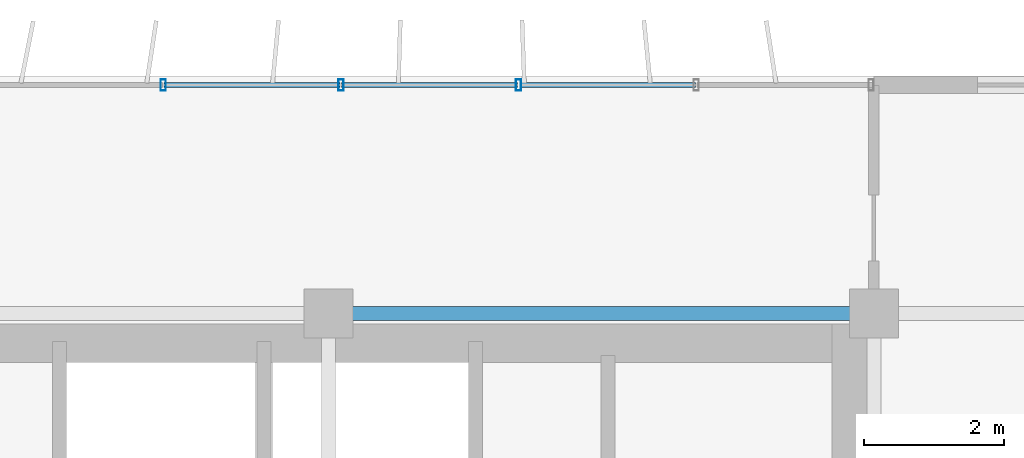
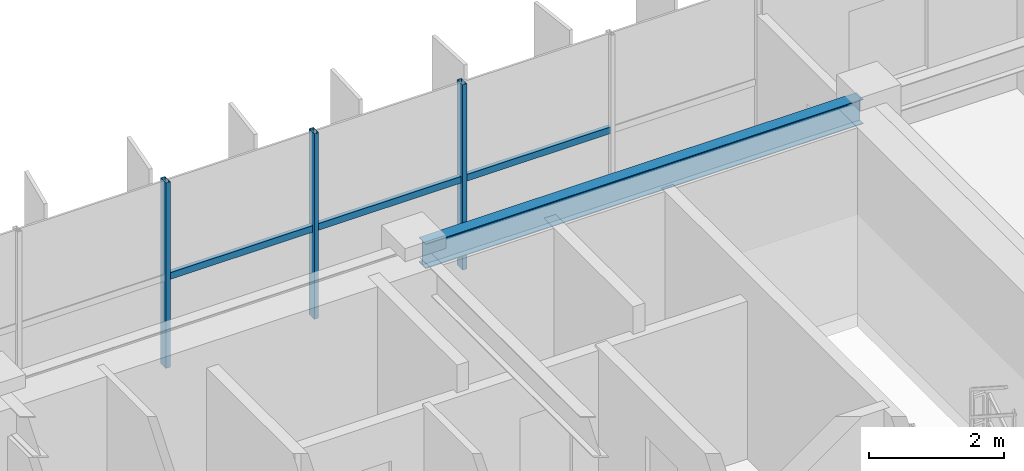
# One storey, part 22 of 34: 6 members, 1 beam, 1 element without a shape of its own.
"""IFC4 building model written with IfcOpenShell, lengths in metres."""

from ifc_helpers import new_model, si_unit, direction, frame, origin, origin_2d, place, context, subcontext, project, spatial, hollow_rectangle, i_section, extrude, source, transform, mapped, material, material_profile, profile_set, type_object, element, aggregate, save


model = new_model("IFC4")

# Units and contexts
model_context = context("Model", 3, precision=1e-05, world=origin(), true_north=direction((0.0, 1.0)))
body_context = subcontext(model_context, "Body", "Model", "MODEL_VIEW")
ifc_project = project(units=[si_unit("LENGTHUNIT", "METRE"), si_unit("AREAUNIT", "SQUARE_METRE"), si_unit("VOLUMEUNIT", "CUBIC_METRE"), si_unit("PLANEANGLEUNIT", "RADIAN"), si_unit("MASSUNIT", "GRAM", prefix="KILO")], contexts=[model_context])

# Site, building, storey
site_placement = place(None, origin())
site = spatial("IfcSite", under=ifc_project, at=site_placement, CompositionType="ELEMENT")
building_placement = place(site_placement, origin())
building = spatial("IfcBuilding", under=site, at=building_placement, Name="Trelvane Seafront Commons", CompositionType="ELEMENT")
storey_placement = place(building_placement, frame((0.0, 0.0, 197.699951171875)))
storey = spatial("IfcBuildingStorey", under=building, at=storey_placement, Name="L51", CompositionType="ELEMENT", Elevation=197.699951171875)

# Beam
ifc_material_1 = material(Name="Steel SM355 (S355)", Category="steel")
ifc_material_profile_1 = material_profile(ifc_material_1, i_section(OverallWidth=0.199951171875, OverallDepth=0.449951171875, WebThickness=0.009033203125, FlangeThickness=0.013916015625, at=origin_2d()), Name="H-450x200x9x14")
ifc_profile_set_1 = profile_set([ifc_material_profile_1], Name="Steel SM355 (S355)")
beam_type = type_object("IfcBeamType", Name="STR-SPD-H450", PredefinedType="SPANDREL", material=ifc_profile_set_1)
shared_shape_1 = source(origin(), body_context, "Body", "SweptSolid", [
    extrude(i_section(OverallWidth=0.199951171875, OverallDepth=0.449951171875, WebThickness=0.009033203125, FlangeThickness=0.013916015625, at=origin_2d()), origin(), (0.0, 0.0, 1.0), 7.5),
])
beam_placement = place(storey_placement, frame((51.14990234375, 45.10009765625, 3.135009765625), z_axis=(1.0, 0.0, 0.0), x_axis=(0.0, 1.0, 0.0)))
element("IfcBeam", 1, at=beam_placement, inside=storey, type_object=beam_type, Name="L51 Primary Girder G-27", PredefinedType="SPANDREL", context=body_context, shape_type="MappedRepresentation", body=[
    mapped(shared_shape_1, transform((0.0, 0.0, 0.0), x_axis=(1.0, 0.0, 0.0), y_axis=(0.0, 1.0, 0.0), z_axis=(0.0, 0.0, 1.0), scale=1.0)),
])

# Curtain wall, members
ifc_material_2 = material(Name="Anodised pale-silver aluminium", Category="aluminium")
curtain_wall_type = type_object("IfcCurtainWallType", Name="ARCH-CW5-UPTOWER", PredefinedType="NOTDEFINED", material=ifc_material_2)
curtain_wall_placement = place(storey_placement, origin())
curtain_wall = element("IfcCurtainWall", 2, at=curtain_wall_placement, inside=storey, type_object=curtain_wall_type, Name="CW-L51-0084", PredefinedType="NOTDEFINED")
ifc_material_profile_2 = material_profile(ifc_material_2, hollow_rectangle(XDim=0.070068359375, YDim=0.1201171875, WallThickness=0.00390625, at=origin_2d()), Name="TRAN-70x120x4")
ifc_profile_set_2 = profile_set([ifc_material_profile_2], Name="Anodised pale-silver aluminium")
member_type_1 = type_object("IfcMemberType", Name="ARCH-CW-TRAN-120", PredefinedType="USERDEFINED", material=ifc_profile_set_2)
shared_shape_2 = source(origin(), body_context, "Body", "SweptSolid", [
    extrude(hollow_rectangle(XDim=0.070068359375, YDim=0.1201171875, WallThickness=0.00390625, at=origin_2d()), origin(), (0.0, 0.0, 1.0), 2.51708984375),
])
member_1_placement = place(storey_placement, frame((51.1884765625, 48.3701171875, 1.613037109375), z_axis=(1.0, 0.0, 0.0), x_axis=(0.0, 1.0, 0.0)))
member_1 = element("IfcMember", 3, at=member_1_placement, type_object=member_type_1, Name="CW-L51-0084-T14", ObjectType="TRANSOM", PredefinedType="USERDEFINED", context=body_context, shape_type="MappedRepresentation", body=[
    mapped(shared_shape_2, transform((0.0, 0.0, 0.0), x_axis=(1.0, 0.0, 0.0), y_axis=(0.0, 1.0, 0.0), z_axis=(0.0, 0.0, 1.0), scale=1.0)),
])
shared_shape_3 = source(origin(), body_context, "Body", "SweptSolid", [
    extrude(hollow_rectangle(XDim=0.070068359375, YDim=0.1201171875, WallThickness=0.00390625, at=origin_2d()), origin(), (0.0, 0.0, 1.0), 2.517333984375),
])
member_2_placement = place(storey_placement, frame((48.647216796875, 48.3701171875, 1.613037109375), z_axis=(1.0, 0.0, 0.0), x_axis=(0.0, 1.0, 0.0)))
member_2 = element("IfcMember", 4, at=member_2_placement, type_object=member_type_1, Name="CW-L51-0084-T13", ObjectType="TRANSOM", PredefinedType="USERDEFINED", context=body_context, shape_type="MappedRepresentation", body=[
    mapped(shared_shape_3, transform((0.0, 0.0, 0.0), x_axis=(1.0, 0.0, 0.0), y_axis=(0.0, 1.0, 0.0), z_axis=(0.0, 0.0, 1.0), scale=1.0)),
])
member_3_placement = place(storey_placement, frame((53.7294921875, 48.3701171875, 1.613037109375), z_axis=(1.0, 0.0, 0.0), x_axis=(0.0, 1.0, 0.0)))
member_3 = element("IfcMember", 5, at=member_3_placement, type_object=member_type_1, Name="CW-L51-0084-T15", ObjectType="TRANSOM", PredefinedType="USERDEFINED", context=body_context, shape_type="MappedRepresentation", body=[
    mapped(shared_shape_3, transform((0.0, 0.0, 0.0), x_axis=(1.0, 0.0, 0.0), y_axis=(0.0, 1.0, 0.0), z_axis=(0.0, 0.0, 1.0), scale=1.0)),
])
ifc_material_profile_3 = material_profile(ifc_material_2, hollow_rectangle(XDim=0.074951171875, YDim=0.159912109375, WallThickness=0.00390625, at=origin_2d()), Name="MULL-75x160x4")
ifc_profile_set_3 = profile_set([ifc_material_profile_3], Name="Anodised pale-silver aluminium")
member_type_2 = type_object("IfcMemberType", Name="ARCH-CW-MULL-160", PredefinedType="MULLION", material=ifc_profile_set_3)
shared_shape_4 = source(origin(), body_context, "Body", "SweptSolid", [
    extrude(hollow_rectangle(XDim=0.074951171875, YDim=0.159912109375, WallThickness=0.00390625, at=origin_2d()), origin(), (0.0, 0.0, 1.0), 3.360107421875),
])
member_4_placement = place(storey_placement, frame((48.63525390625, 48.3701171875, 0.0), z_axis=(0.0, 0.0, 1.0), x_axis=(1.0, 0.0, 0.0)))
member_4 = element("IfcMember", 6, at=member_4_placement, type_object=member_type_2, Name="CW-L51-0084-M13", PredefinedType="MULLION", context=body_context, shape_type="MappedRepresentation", body=[
    mapped(shared_shape_4, transform((0.0, 0.0, 0.0), x_axis=(1.0, 0.0, 0.0), y_axis=(0.0, 1.0, 0.0), z_axis=(0.0, 0.0, 1.0), scale=1.0)),
])
member_5_placement = place(storey_placement, frame((51.176513671875, 48.3701171875, 0.0), z_axis=(0.0, 0.0, 1.0), x_axis=(1.0, 0.0, 0.0)))
member_5 = element("IfcMember", 7, at=member_5_placement, type_object=member_type_2, Name="CW-L51-0084-M14", PredefinedType="MULLION", context=body_context, shape_type="MappedRepresentation", body=[
    mapped(shared_shape_4, transform((0.0, 0.0, 0.0), x_axis=(1.0, 0.0, 0.0), y_axis=(0.0, 1.0, 0.0), z_axis=(0.0, 0.0, 1.0), scale=1.0)),
])
member_6_placement = place(storey_placement, frame((53.717529296875, 48.3701171875, 0.0), z_axis=(0.0, 0.0, 1.0), x_axis=(1.0, 0.0, 0.0)))
member_6 = element("IfcMember", 8, at=member_6_placement, type_object=member_type_2, Name="CW-L51-0084-M15", PredefinedType="MULLION", context=body_context, shape_type="MappedRepresentation", body=[
    mapped(shared_shape_4, transform((0.0, 0.0, 0.0), x_axis=(1.0, 0.0, 0.0), y_axis=(0.0, 1.0, 0.0), z_axis=(0.0, 0.0, 1.0), scale=1.0)),
])
aggregate(curtain_wall, [member_4, member_5, member_6, member_2, member_1, member_3])

save(model, "model.ifc")
